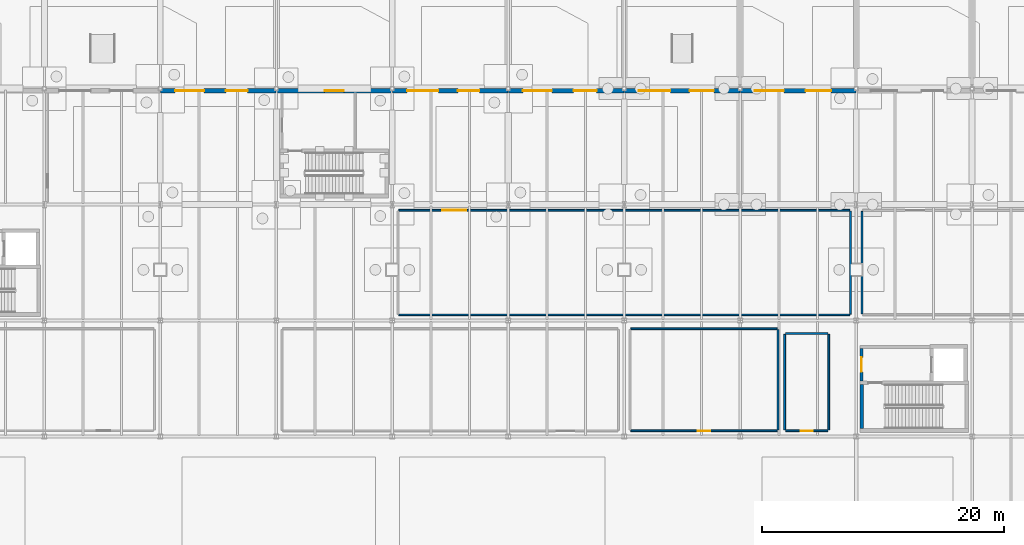
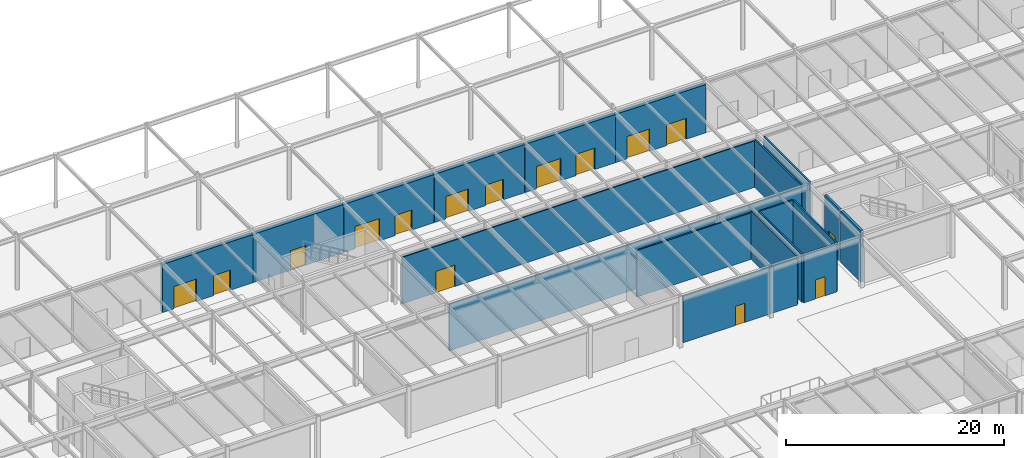
# One storey, part 122 of 142: 19 walls, 15 doors, 15 openings.
"""IFC4 building model written with IfcOpenShell, lengths in metres."""

from ifc_helpers import new_model, si_unit, direction, frame, frame_2d, origin, place, context, subcontext, project, spatial, rectangle, extrude, material, layer, layer_set, type_object, element, fill, save


model = new_model("IFC4")

# Units and contexts
model_context = context("Model", 3, precision=1e-05, world=origin(), true_north=direction((0.0, 1.0)))
body_context = subcontext(model_context, "Body", "Model", "MODEL_VIEW")
ifc_project = project(units=[si_unit("LENGTHUNIT", "METRE"), si_unit("AREAUNIT", "SQUARE_METRE"), si_unit("VOLUMEUNIT", "CUBIC_METRE"), si_unit("PLANEANGLEUNIT", "RADIAN"), si_unit("MASSUNIT", "GRAM", prefix="KILO")], contexts=[model_context])

# Site, building, storey
site_placement = place(None, origin())
site = spatial("IfcSite", under=ifc_project, at=site_placement, CompositionType="ELEMENT")
building_placement = place(site_placement, origin())
building = spatial("IfcBuilding", under=site, at=building_placement, Name="Coralgate Yard Interchange", CompositionType="ELEMENT")
storey_placement = place(building_placement, origin())
storey = spatial("IfcBuildingStorey", under=building, at=storey_placement, Name="L00", CompositionType="ELEMENT", Elevation=0.0)

# Wall
ifc_material_1 = material(Name="Concrete C40/50", Category="concrete")
ifc_layer_1 = layer(ifc_material_1, 0.300048828125)
ifc_layer_set_1 = layer_set([ifc_layer_1], Name="Concrete C40/50")
wall_type_1 = type_object("IfcWallType", Name="WAL-CW300", PredefinedType="SHEAR", material=ifc_layer_set_1)
wall_1_placement = place(storey_placement, frame((125.25, 67.85009765625, 0.0), z_axis=(0.0, 0.0, 1.0), x_axis=(0.0, 1.0, 0.0)))
element("IfcWall", 1, at=wall_1_placement, inside=storey, type_object=wall_type_1, Name="C7 L00 stair west shear wall", PredefinedType="SHEAR", context=body_context, shape_type="SweptSolid", body=[
    extrude(rectangle(XDim=3.64990234375, YDim=0.300048828125, at=frame_2d((1.824951171875, 0.0))), origin(), (0.0, 0.0, 1.0), 5.75),
])

# Wall, openings, doors
ifc_material_2 = material(Name="Precast concrete C40/50", Category="concrete")
ifc_layer_2 = layer(ifc_material_2, 0.35009765625)
ifc_layer_set_2 = layer_set([ifc_layer_2], Name="Precast concrete C40/50")
wall_type_2 = type_object("IfcWallType", Name="WAL-EW-350", PredefinedType="SOLIDWALL", material=ifc_layer_set_2)
wall_2_placement = place(storey_placement, frame((67.219970703125, 95.824951171875, 0.0), z_axis=(0.0, 0.0, 1.0), x_axis=(1.0, 0.0, 0.0)))
wall_2 = element("IfcWall", 2, at=wall_2_placement, inside=storey, type_object=wall_type_2, Name="L00 exterior coastal wall N 7-9", PredefinedType="SOLIDWALL", context=body_context, shape_type="SweptSolid", body=[
    extrude(rectangle(XDim=9.56005859375, YDim=0.35009765625, at=frame_2d((4.780029296875, 0.0))), origin(), (0.0, 0.0, 1.0), 5.39990234375),
])
opening_1_placement = place(wall_2_placement, frame((1.199951171875, 0.0, 0.0)))
opening_1 = element("IfcOpeningElement", 3, at=opening_1_placement, cuts=wall_2, Name="Opening ED-2", PredefinedType="OPENING", context=body_context, shape_type="SweptSolid", body=[
    extrude(rectangle(XDim=2.39990234375, YDim=2.5, at=frame_2d((1.199951171875, 1.25))), frame((0.0, 0.18505859375, 0.0), z_axis=(0.0, -1.0, 0.0), x_axis=(1.0, 0.0, 0.0)), (0.0, 0.0, 1.0), 0.3701171875),
])
opening_2_placement = place(wall_2_placement, frame((5.39990234375, 0.0, 0.0)))
opening_2 = element("IfcOpeningElement", 4, at=opening_2_placement, cuts=wall_2, Name="Opening ED-3", PredefinedType="OPENING", context=body_context, shape_type="SweptSolid", body=[
    extrude(rectangle(XDim=1.800048828125, YDim=2.25, at=frame_2d((0.89990234375, 1.125))), frame((0.0, 0.18505859375, 0.0), z_axis=(0.0, -1.0, 0.0), x_axis=(1.0, 0.0, 0.0)), (0.0, 0.0, 1.0), 0.3701171875),
])
ifc_material_3 = material(Name="Anodised aluminium concourse entrance double door", Category="aluminium")
door_type_1 = type_object("IfcDoorType", Name="DOR-ED-2", OperationType="NOTDEFINED", PredefinedType="DOOR", material=ifc_material_3)
door_1_placement = place(opening_1_placement, origin())
door_1 = element("IfcDoor", 5, at=door_1_placement, inside=storey, type_object=door_type_1, Name="L00 final exit double door ED-12", OperationType="DOUBLE_DOOR_SINGLE_SWING", OverallHeight=2.5, OverallWidth=2.39990234375, PredefinedType="DOOR", context=body_context, shape_type="SweptSolid", body=[
    extrude(rectangle(XDim=2.39990234375, YDim=2.5, at=frame_2d((1.199951171875, 1.25))), frame((0.0, 0.02490234375, 0.0), z_axis=(0.0, -1.0, 0.0), x_axis=(1.0, 0.0, 0.0)), (0.0, 0.0, 1.0), 0.050048828125),
])
fill(opening_1, door_1)
ifc_material_4 = material(Name="Anodised aluminium passenger waiting exit double door", Category="aluminium")
door_type_2 = type_object("IfcDoorType", Name="DOR-ED-3", OperationType="NOTDEFINED", PredefinedType="DOOR", material=ifc_material_4)
door_2_placement = place(opening_2_placement, origin())
door_2 = element("IfcDoor", 6, at=door_2_placement, inside=storey, type_object=door_type_2, Name="L00 final exit double door ED-13", OperationType="DOUBLE_DOOR_SINGLE_SWING", OverallHeight=2.25, OverallWidth=1.800048828125, PredefinedType="DOOR", context=body_context, shape_type="SweptSolid", body=[
    extrude(rectangle(XDim=1.800048828125, YDim=2.25, at=frame_2d((0.89990234375, 1.125))), frame((0.0, 0.02490234375, 0.0), z_axis=(0.0, -1.0, 0.0), x_axis=(1.0, 0.0, 0.0)), (0.0, 0.0, 1.0), 0.050048828125),
])
fill(opening_2, door_2)

# Wall, opening, door
wall_3_placement = place(storey_placement, frame((76.820068359375, 95.824951171875, 0.0), z_axis=(0.0, 0.0, 1.0), x_axis=(1.0, 0.0, 0.0)))
wall_3 = element("IfcWall", 7, at=wall_3_placement, inside=storey, type_object=wall_type_2, Name="L00 exterior coastal wall N 8-9", PredefinedType="SOLIDWALL", context=body_context, shape_type="SweptSolid", body=[
    extrude(rectangle(XDim=9.559814453125, YDim=0.35009765625, at=frame_2d((4.77978515625, 0.0))), origin(), (0.0, 0.0, 1.0), 5.39990234375),
])
opening_3_placement = place(wall_3_placement, frame((3.97998046875, 0.0, 0.0)))
opening_3 = element("IfcOpeningElement", 8, at=opening_3_placement, cuts=wall_3, Name="Opening ED-4", PredefinedType="OPENING", context=body_context, shape_type="SweptSolid", body=[
    extrude(rectangle(XDim=1.60009765625, YDim=2.199951171875, at=frame_2d((0.800048828125, 1.10009765625))), frame((0.0, 0.18505859375, 0.0), z_axis=(0.0, -1.0, 0.0), x_axis=(1.0, 0.0, 0.0)), (0.0, 0.0, 1.0), 0.3701171875),
])
ifc_material_5 = material(Name="Powder-coated steel emergency exit double door", Category="steel")
door_type_3 = type_object("IfcDoorType", Name="DOR-ED-4", OperationType="NOTDEFINED", PredefinedType="DOOR", material=ifc_material_5)
door_3_placement = place(opening_3_placement, origin())
door_3 = element("IfcDoor", 9, at=door_3_placement, inside=storey, type_object=door_type_3, Name="Core emergency exit door ED-C14", OperationType="DOUBLE_DOOR_SINGLE_SWING", OverallHeight=2.199951171875, OverallWidth=1.60009765625, PredefinedType="DOOR", context=body_context, shape_type="SweptSolid", body=[
    extrude(rectangle(XDim=1.60009765625, YDim=2.199951171875, at=frame_2d((0.800048828125, 1.10009765625))), frame((0.0, 0.02490234375, 0.0), z_axis=(0.0, -1.0, 0.0), x_axis=(1.0, 0.0, 0.0)), (0.0, 0.0, 1.0), 0.050048828125),
])
fill(opening_3, door_3)

# Wall, openings, doors
wall_4_placement = place(storey_placement, frame((86.419921875, 95.824951171875, 0.0), z_axis=(0.0, 0.0, 1.0), x_axis=(1.0, 0.0, 0.0)))
wall_4 = element("IfcWall", 10, at=wall_4_placement, inside=storey, type_object=wall_type_2, Name="L00 exterior coastal wall N 9-9", PredefinedType="SOLIDWALL", context=body_context, shape_type="SweptSolid", body=[
    extrude(rectangle(XDim=9.56005859375, YDim=0.35009765625, at=frame_2d((4.780029296875, 0.0))), origin(), (0.0, 0.0, 1.0), 5.39990234375),
])
opening_4_placement = place(wall_4_placement, frame((1.199951171875, 0.0, 0.0)))
opening_4 = element("IfcOpeningElement", 11, at=opening_4_placement, cuts=wall_4, Name="Opening ED-6", PredefinedType="OPENING", context=body_context, shape_type="SweptSolid", body=[
    extrude(rectangle(XDim=2.60009765625, YDim=2.5, at=frame_2d((1.300048828125, 1.25))), frame((0.0, 0.18505859375, 0.0), z_axis=(0.0, -1.0, 0.0), x_axis=(1.0, 0.0, 0.0)), (0.0, 0.0, 1.0), 0.3701171875),
])
opening_5_placement = place(wall_4_placement, frame((5.39990234375, 0.0, 0.0)))
opening_5 = element("IfcOpeningElement", 12, at=opening_5_placement, cuts=wall_4, Name="Opening ED-3", PredefinedType="OPENING", context=body_context, shape_type="SweptSolid", body=[
    extrude(rectangle(XDim=1.800048828125, YDim=2.25, at=frame_2d((0.89990234375, 1.125))), frame((0.0, 0.18505859375, 0.0), z_axis=(0.0, -1.0, 0.0), x_axis=(1.0, 0.0, 0.0)), (0.0, 0.0, 1.0), 0.3701171875),
])
door_4_placement = place(opening_5_placement, origin())
door_4 = element("IfcDoor", 13, at=door_4_placement, inside=storey, type_object=door_type_2, Name="L00 final exit double door ED-17", OperationType="DOUBLE_DOOR_SINGLE_SWING", OverallHeight=2.25, OverallWidth=1.800048828125, PredefinedType="DOOR", context=body_context, shape_type="SweptSolid", body=[
    extrude(rectangle(XDim=1.800048828125, YDim=2.25, at=frame_2d((0.89990234375, 1.125))), frame((0.0, 0.02490234375, 0.0), z_axis=(0.0, -1.0, 0.0), x_axis=(1.0, 0.0, 0.0)), (0.0, 0.0, 1.0), 0.050048828125),
])
fill(opening_5, door_4)
ifc_material_6 = material(Name="Anodised aluminium main concourse double door", Category="aluminium")
door_type_4 = type_object("IfcDoorType", Name="DOR-ED-6", OperationType="NOTDEFINED", PredefinedType="DOOR", material=ifc_material_6)
door_5_placement = place(opening_4_placement, origin())
door_5 = element("IfcDoor", 14, at=door_5_placement, inside=storey, type_object=door_type_4, Name="L00 final exit double door ED-16", OperationType="DOUBLE_DOOR_SINGLE_SWING", OverallHeight=2.5, OverallWidth=2.60009765625, PredefinedType="DOOR", context=body_context, shape_type="SweptSolid", body=[
    extrude(rectangle(XDim=2.60009765625, YDim=2.5, at=frame_2d((1.300048828125, 1.25))), frame((0.0, 0.02490234375, 0.0), z_axis=(0.0, -1.0, 0.0), x_axis=(1.0, 0.0, 0.0)), (0.0, 0.0, 1.0), 0.050048828125),
])
fill(opening_4, door_5)

wall_5_placement = place(storey_placement, frame((96.02001953125, 95.824951171875, 0.0), z_axis=(0.0, 0.0, 1.0), x_axis=(1.0, 0.0, 0.0)))
wall_5 = element("IfcWall", 15, at=wall_5_placement, inside=storey, type_object=wall_type_2, Name="L00 exterior coastal wall N 10-9", PredefinedType="SOLIDWALL", context=body_context, shape_type="SweptSolid", body=[
    extrude(rectangle(XDim=9.56005859375, YDim=0.35009765625, at=frame_2d((4.780029296875, 0.0))), origin(), (0.0, 0.0, 1.0), 5.39990234375),
])
opening_6_placement = place(wall_5_placement, frame((1.199951171875, 0.0, 0.0)))
opening_6 = element("IfcOpeningElement", 16, at=opening_6_placement, cuts=wall_5, Name="Opening ED-2", PredefinedType="OPENING", context=body_context, shape_type="SweptSolid", body=[
    extrude(rectangle(XDim=2.39990234375, YDim=2.5, at=frame_2d((1.199951171875, 1.25))), frame((0.0, 0.18505859375, 0.0), z_axis=(0.0, -1.0, 0.0), x_axis=(1.0, 0.0, 0.0)), (0.0, 0.0, 1.0), 0.3701171875),
])
opening_7_placement = place(wall_5_placement, frame((5.39990234375, 0.0, 0.0)))
opening_7 = element("IfcOpeningElement", 17, at=opening_7_placement, cuts=wall_5, Name="Opening ED-7", PredefinedType="OPENING", context=body_context, shape_type="SweptSolid", body=[
    extrude(rectangle(XDim=1.89990234375, YDim=2.300048828125, at=frame_2d((0.949951171875, 1.14990234375))), frame((0.0, 0.18505859375, 0.0), z_axis=(0.0, -1.0, 0.0), x_axis=(1.0, 0.0, 0.0)), (0.0, 0.0, 1.0), 0.3701171875),
])
door_6_placement = place(opening_6_placement, origin())
door_6 = element("IfcDoor", 18, at=door_6_placement, inside=storey, type_object=door_type_1, Name="L00 final exit double door ED-20", OperationType="DOUBLE_DOOR_SINGLE_SWING", OverallHeight=2.5, OverallWidth=2.39990234375, PredefinedType="DOOR", context=body_context, shape_type="SweptSolid", body=[
    extrude(rectangle(XDim=2.39990234375, YDim=2.5, at=frame_2d((1.199951171875, 1.25))), frame((0.0, 0.02490234375, 0.0), z_axis=(0.0, -1.0, 0.0), x_axis=(1.0, 0.0, 0.0)), (0.0, 0.0, 1.0), 0.050048828125),
])
fill(opening_6, door_6)
ifc_material_7 = material(Name="Anodised aluminium bus-apron boarding double door", Category="aluminium")
door_type_5 = type_object("IfcDoorType", Name="DOR-ED-7", OperationType="NOTDEFINED", PredefinedType="DOOR", material=ifc_material_7)
door_7_placement = place(opening_7_placement, origin())
door_7 = element("IfcDoor", 19, at=door_7_placement, inside=storey, type_object=door_type_5, Name="L00 final exit double door ED-21", OperationType="DOUBLE_DOOR_SINGLE_SWING", OverallHeight=2.300048828125, OverallWidth=1.89990234375, PredefinedType="DOOR", context=body_context, shape_type="SweptSolid", body=[
    extrude(rectangle(XDim=1.89990234375, YDim=2.300048828125, at=frame_2d((0.949951171875, 1.14990234375))), frame((0.0, 0.02490234375, 0.0), z_axis=(0.0, -1.0, 0.0), x_axis=(1.0, 0.0, 0.0)), (0.0, 0.0, 1.0), 0.050048828125),
])
fill(opening_7, door_7)

wall_6_placement = place(storey_placement, frame((105.6201171875, 95.824951171875, 0.0), z_axis=(0.0, 0.0, 1.0), x_axis=(1.0, 0.0, 0.0)))
wall_6 = element("IfcWall", 20, at=wall_6_placement, inside=storey, type_object=wall_type_2, Name="L00 exterior coastal wall N 11-9", PredefinedType="SOLIDWALL", context=body_context, shape_type="SweptSolid", body=[
    extrude(rectangle(XDim=9.559814453125, YDim=0.35009765625, at=frame_2d((4.77978515625, 0.0))), origin(), (0.0, 0.0, 1.0), 5.39990234375),
])
opening_8_placement = place(wall_6_placement, frame((1.199951171875, 0.0, 0.0)))
opening_8 = element("IfcOpeningElement", 21, at=opening_8_placement, cuts=wall_6, Name="Opening ED-6", PredefinedType="OPENING", context=body_context, shape_type="SweptSolid", body=[
    extrude(rectangle(XDim=2.60009765625, YDim=2.5, at=frame_2d((1.300048828125, 1.25))), frame((0.0, 0.18505859375, 0.0), z_axis=(0.0, -1.0, 0.0), x_axis=(1.0, 0.0, 0.0)), (0.0, 0.0, 1.0), 0.3701171875),
])
opening_9_placement = place(wall_6_placement, frame((5.39990234375, 0.0, 0.0)))
opening_9 = element("IfcOpeningElement", 22, at=opening_9_placement, cuts=wall_6, Name="Opening ED-1", PredefinedType="OPENING", context=body_context, shape_type="SweptSolid", body=[
    extrude(rectangle(XDim=2.0, YDim=2.39990234375, at=frame_2d((1.0, 1.199951171875))), frame((0.0, 0.18505859375, 0.0), z_axis=(0.0, -1.0, 0.0), x_axis=(1.0, 0.0, 0.0)), (0.0, 0.0, 1.0), 0.3701171875),
])
ifc_material_8 = material(Name="Anodised aluminium and toughened glass double exit door", Category="aluminium")
door_type_6 = type_object("IfcDoorType", Name="DOR-ED-1", OperationType="NOTDEFINED", PredefinedType="DOOR", material=ifc_material_8)
door_8_placement = place(opening_9_placement, origin())
door_8 = element("IfcDoor", 23, at=door_8_placement, inside=storey, type_object=door_type_6, Name="L00 final exit double door ED-23", OperationType="DOUBLE_DOOR_SINGLE_SWING", OverallHeight=2.39990234375, OverallWidth=2.0, PredefinedType="DOOR", context=body_context, shape_type="SweptSolid", body=[
    extrude(rectangle(XDim=2.0, YDim=2.39990234375, at=frame_2d((1.0, 1.199951171875))), frame((0.0, 0.02490234375, 0.0), z_axis=(0.0, -1.0, 0.0), x_axis=(1.0, 0.0, 0.0)), (0.0, 0.0, 1.0), 0.050048828125),
])
fill(opening_9, door_8)
door_9_placement = place(opening_8_placement, origin())
door_9 = element("IfcDoor", 24, at=door_9_placement, inside=storey, type_object=door_type_4, Name="L00 final exit double door ED-22", OperationType="DOUBLE_DOOR_SINGLE_SWING", OverallHeight=2.5, OverallWidth=2.60009765625, PredefinedType="DOOR", context=body_context, shape_type="SweptSolid", body=[
    extrude(rectangle(XDim=2.60009765625, YDim=2.5, at=frame_2d((1.300048828125, 1.25))), frame((0.0, 0.02490234375, 0.0), z_axis=(0.0, -1.0, 0.0), x_axis=(1.0, 0.0, 0.0)), (0.0, 0.0, 1.0), 0.050048828125),
])
fill(opening_8, door_9)

wall_7_placement = place(storey_placement, frame((115.219970703125, 95.824951171875, 0.0), z_axis=(0.0, 0.0, 1.0), x_axis=(1.0, 0.0, 0.0)))
wall_7 = element("IfcWall", 25, at=wall_7_placement, inside=storey, type_object=wall_type_2, Name="L00 exterior coastal wall N 12-9", PredefinedType="SOLIDWALL", context=body_context, shape_type="SweptSolid", body=[
    extrude(rectangle(XDim=9.56005859375, YDim=0.35009765625, at=frame_2d((4.780029296875, 0.0))), origin(), (0.0, 0.0, 1.0), 5.39990234375),
])
opening_10_placement = place(wall_7_placement, frame((1.199951171875, 0.0, 0.0)))
opening_10 = element("IfcOpeningElement", 26, at=opening_10_placement, cuts=wall_7, Name="Opening ED-2", PredefinedType="OPENING", context=body_context, shape_type="SweptSolid", body=[
    extrude(rectangle(XDim=2.39990234375, YDim=2.5, at=frame_2d((1.199951171875, 1.25))), frame((0.0, 0.18505859375, 0.0), z_axis=(0.0, -1.0, 0.0), x_axis=(1.0, 0.0, 0.0)), (0.0, 0.0, 1.0), 0.3701171875),
])
opening_11_placement = place(wall_7_placement, frame((5.39990234375, 0.0, 0.0)))
opening_11 = element("IfcOpeningElement", 27, at=opening_11_placement, cuts=wall_7, Name="Opening ED-8", PredefinedType="OPENING", context=body_context, shape_type="SweptSolid", body=[
    extrude(rectangle(XDim=2.10009765625, YDim=2.35009765625, at=frame_2d((1.050048828125, 1.175048828125))), frame((0.0, 0.18505859375, 0.0), z_axis=(0.0, -1.0, 0.0), x_axis=(1.0, 0.0, 0.0)), (0.0, 0.0, 1.0), 0.3701171875),
])
door_10_placement = place(opening_10_placement, origin())
door_10 = element("IfcDoor", 28, at=door_10_placement, inside=storey, type_object=door_type_1, Name="L00 final exit double door ED-24", OperationType="DOUBLE_DOOR_SINGLE_SWING", OverallHeight=2.5, OverallWidth=2.39990234375, PredefinedType="DOOR", context=body_context, shape_type="SweptSolid", body=[
    extrude(rectangle(XDim=2.39990234375, YDim=2.5, at=frame_2d((1.199951171875, 1.25))), frame((0.0, 0.02490234375, 0.0), z_axis=(0.0, -1.0, 0.0), x_axis=(1.0, 0.0, 0.0)), (0.0, 0.0, 1.0), 0.050048828125),
])
fill(opening_10, door_10)
ifc_material_9 = material(Name="Anodised aluminium intermodal foyer double door", Category="aluminium")
door_type_7 = type_object("IfcDoorType", Name="DOR-ED-8", OperationType="NOTDEFINED", PredefinedType="DOOR", material=ifc_material_9)
door_11_placement = place(opening_11_placement, origin())
door_11 = element("IfcDoor", 29, at=door_11_placement, inside=storey, type_object=door_type_7, Name="L00 final exit double door ED-25", OperationType="DOUBLE_DOOR_SINGLE_SWING", OverallHeight=2.35009765625, OverallWidth=2.10009765625, PredefinedType="DOOR", context=body_context, shape_type="SweptSolid", body=[
    extrude(rectangle(XDim=2.10009765625, YDim=2.35009765625, at=frame_2d((1.050048828125, 1.175048828125))), frame((0.0, 0.02490234375, 0.0), z_axis=(0.0, -1.0, 0.0), x_axis=(1.0, 0.0, 0.0)), (0.0, 0.0, 1.0), 0.050048828125),
])
fill(opening_11, door_11)

# Wall
ifc_material_10 = material(Name="Acoustic twin-stud office partition")
ifc_layer_3 = layer(ifc_material_10, 0.139892578125)
ifc_layer_set_3 = layer_set([ifc_layer_3], Name="Acoustic twin-stud office partition")
wall_type_3 = type_object("IfcWallType", Name="WAL-PW-140", PredefinedType="PARTITIONING", material=ifc_layer_set_3)
wall_8_placement = place(storey_placement, frame((124.260009765625, 77.27001953125, 0.0), z_axis=(0.0, 0.0, 1.0), x_axis=(-1.0, 0.0, 0.0)))
element("IfcWall", 30, at=wall_8_placement, inside=storey, type_object=wall_type_3, Name="Station Coastal Cafe and Bakery partition S", PredefinedType="PARTITIONING", context=body_context, shape_type="SweptSolid", body=[
    extrude(rectangle(XDim=37.320068359375, YDim=0.139892578125, at=frame_2d((18.66015625, 0.0))), origin(), (0.0, 0.0, 1.0), 5.206787109375),
])

# Wall, opening, door
wall_9_placement = place(storey_placement, frame((86.93994140625, 85.929931640625, 0.0), z_axis=(0.0, 0.0, 1.0), x_axis=(1.0, 0.0, 0.0)))
wall_9 = element("IfcWall", 31, at=wall_9_placement, inside=storey, type_object=wall_type_3, Name="Station Coastal Cafe and Bakery partition N", PredefinedType="PARTITIONING", context=body_context, shape_type="SweptSolid", body=[
    extrude(rectangle(XDim=37.320068359375, YDim=0.139892578125, at=frame_2d((18.66015625, 0.0))), origin(), (0.0, 0.0, 1.0), 5.206787109375),
])
opening_12_placement = place(wall_9_placement, frame((3.60009765625, 0.0, 0.0)))
opening_12 = element("IfcOpeningElement", 32, at=opening_12_placement, cuts=wall_9, Name="Opening ID-09", PredefinedType="OPENING", context=body_context, shape_type="SweptSolid", body=[
    extrude(rectangle(XDim=2.0, YDim=2.39990234375, at=frame_2d((1.0, 1.199951171875))), frame((0.0, 0.079833984375, 0.0), z_axis=(0.0, -1.0, 0.0), x_axis=(1.0, 0.0, 0.0)), (0.0, 0.0, 1.0), 0.159912109375),
])
ifc_material_11 = material(Name="Glazed aluminium concourse lounge double door", Category="aluminium")
door_type_8 = type_object("IfcDoorType", Name="DOR-ID-09", OperationType="NOTDEFINED", PredefinedType="DOOR", material=ifc_material_11)
door_12_placement = place(opening_12_placement, origin())
door_12 = element("IfcDoor", 33, at=door_12_placement, inside=storey, type_object=door_type_8, Name="Station Coastal Cafe and Bakery door", OperationType="DOUBLE_DOOR_SINGLE_SWING", OverallHeight=2.39990234375, OverallWidth=2.0, PredefinedType="DOOR", context=body_context, shape_type="SweptSolid", body=[
    extrude(rectangle(XDim=2.0, YDim=2.39990234375, at=frame_2d((1.0, 1.199951171875))), frame((0.0, 0.02490234375, 0.0), z_axis=(0.0, -1.0, 0.0), x_axis=(1.0, 0.0, 0.0)), (0.0, 0.0, 1.0), 0.050048828125),
])
fill(opening_12, door_12)

# Wall
wall_10_placement = place(storey_placement, frame((124.330078125, 85.860107421875, 0.0), z_axis=(0.0, 0.0, 1.0), x_axis=(0.0, -1.0, 0.0)))
element("IfcWall", 34, at=wall_10_placement, inside=storey, type_object=wall_type_3, Name="Station Coastal Cafe and Bakery partition E", PredefinedType="PARTITIONING", context=body_context, shape_type="SweptSolid", body=[
    extrude(rectangle(XDim=8.52001953125, YDim=0.139892578125, at=frame_2d((4.260009765625, 0.0))), origin(), (0.0, 0.0, 1.0), 5.389892578125),
])

# Wall, opening, door
ifc_material_12 = material(Name="Moisture-resistant masonry washroom wall", Category="masonry")
ifc_layer_4 = layer(ifc_material_12, 0.14990234375)
ifc_layer_set_4 = layer_set([ifc_layer_4], Name="Moisture-resistant masonry washroom wall")
wall_type_4 = type_object("IfcWallType", Name="WAL-PW-150", PredefinedType="PLUMBINGWALL", material=ifc_layer_set_4)
wall_11_placement = place(storey_placement, frame((118.25, 67.675048828125, 0.0), z_axis=(0.0, 0.0, 1.0), x_axis=(-1.0, 0.0, 0.0)))
wall_11 = element("IfcWall", 35, at=wall_11_placement, inside=storey, type_object=wall_type_4, Name="Concourse Public Washrooms partition S", PredefinedType="PLUMBINGWALL", context=body_context, shape_type="SweptSolid", body=[
    extrude(rectangle(XDim=12.10009765625, YDim=0.14990234375, at=frame_2d((6.050048828125, 0.0))), origin(), (0.0, 0.0, 1.0), 5.206787109375),
])
opening_13_placement = place(wall_11_placement, frame((5.550048828125, 0.0, 0.0)))
opening_13 = element("IfcOpeningElement", 36, at=opening_13_placement, cuts=wall_11, Name="Opening ID-02", PredefinedType="OPENING", context=body_context, shape_type="SweptSolid", body=[
    extrude(rectangle(XDim=1.0, YDim=2.14990234375, at=frame_2d((0.5, 1.074951171875))), frame((0.0, 0.0849609375, 0.0), z_axis=(0.0, -1.0, 0.0), x_axis=(1.0, 0.0, 0.0)), (0.0, 0.0, 1.0), 0.169921875),
])
ifc_material_13 = material(Name="Accessible wide-leaf washroom and office door")
door_type_9 = type_object("IfcDoorType", Name="DOR-ID-02", OperationType="NOTDEFINED", PredefinedType="DOOR", material=ifc_material_13)
door_13_placement = place(opening_13_placement, frame((1.0, 0.0, 0.0), z_axis=(0.0, 0.0, 1.0), x_axis=(-1.0, 0.0, 0.0)))
door_13 = element("IfcDoor", 37, at=door_13_placement, inside=storey, type_object=door_type_9, Name="Concourse Public Washrooms door", OperationType="SINGLE_SWING_LEFT", OverallHeight=2.14990234375, OverallWidth=1.0, PredefinedType="DOOR", context=body_context, shape_type="SweptSolid", body=[
    extrude(rectangle(XDim=1.0, YDim=2.14990234375, at=frame_2d((0.5, 1.074951171875))), frame((0.0, 0.02490234375, 0.0), z_axis=(0.0, -1.0, 0.0), x_axis=(1.0, 0.0, 0.0)), (0.0, 0.0, 1.0), 0.050048828125),
])
fill(opening_13, door_13)

# Walls
wall_12_placement = place(storey_placement, frame((106.14990234375, 76.125, 0.0), z_axis=(0.0, 0.0, 1.0), x_axis=(1.0, 0.0, 0.0)))
element("IfcWall", 38, at=wall_12_placement, inside=storey, type_object=wall_type_4, Name="Concourse Public Washrooms partition N", PredefinedType="PLUMBINGWALL", context=body_context, shape_type="SweptSolid", body=[
    extrude(rectangle(XDim=12.10009765625, YDim=0.14990234375, at=frame_2d((6.050048828125, 0.0))), origin(), (0.0, 0.0, 1.0), 5.206787109375),
])
wall_13_placement = place(storey_placement, frame((118.324951171875, 76.050048828125, 0.0), z_axis=(0.0, 0.0, 1.0), x_axis=(0.0, -1.0, 0.0)))
element("IfcWall", 39, at=wall_13_placement, inside=storey, type_object=wall_type_4, Name="Concourse Public Washrooms partition E", PredefinedType="PLUMBINGWALL", context=body_context, shape_type="SweptSolid", body=[
    extrude(rectangle(XDim=8.300048828125, YDim=0.14990234375, at=frame_2d((4.14990234375, 0.0))), origin(), (0.0, 0.0, 1.0), 5.389892578125),
])

# Wall, opening, door
wall_14_placement = place(storey_placement, frame((122.449951171875, 67.675048828125, 0.0), z_axis=(0.0, 0.0, 1.0), x_axis=(-1.0, 0.0, 0.0)))
wall_14 = element("IfcWall", 40, at=wall_14_placement, inside=storey, type_object=wall_type_4, Name="Concourse Accessible WC partition S", PredefinedType="PLUMBINGWALL", context=body_context, shape_type="SweptSolid", body=[
    extrude(rectangle(XDim=3.5, YDim=0.14990234375, at=frame_2d((1.75, 0.0))), origin(), (0.0, 0.0, 1.0), 5.389892578125),
])
opening_14_placement = place(wall_14_placement, frame((1.25, 0.0, 0.0)))
opening_14 = element("IfcOpeningElement", 41, at=opening_14_placement, cuts=wall_14, Name="Opening ID-02", PredefinedType="OPENING", context=body_context, shape_type="SweptSolid", body=[
    extrude(rectangle(XDim=1.0, YDim=2.14990234375, at=frame_2d((0.5, 1.074951171875))), frame((0.0, 0.0849609375, 0.0), z_axis=(0.0, -1.0, 0.0), x_axis=(1.0, 0.0, 0.0)), (0.0, 0.0, 1.0), 0.169921875),
])
door_14_placement = place(opening_14_placement, frame((1.0, 0.0, 0.0), z_axis=(0.0, 0.0, 1.0), x_axis=(-1.0, 0.0, 0.0)))
door_14 = element("IfcDoor", 42, at=door_14_placement, inside=storey, type_object=door_type_9, Name="Concourse Accessible WC door", OperationType="SINGLE_SWING_RIGHT", OverallHeight=2.14990234375, OverallWidth=1.0, PredefinedType="DOOR", context=body_context, shape_type="SweptSolid", body=[
    extrude(rectangle(XDim=1.0, YDim=2.14990234375, at=frame_2d((0.5, 1.074951171875))), frame((0.0, 0.02490234375, 0.0), z_axis=(0.0, -1.0, 0.0), x_axis=(1.0, 0.0, 0.0)), (0.0, 0.0, 1.0), 0.050048828125),
])
fill(opening_14, door_14)

# Walls
wall_15_placement = place(storey_placement, frame((118.949951171875, 75.72509765625, 0.0), z_axis=(0.0, 0.0, 1.0), x_axis=(1.0, 0.0, 0.0)))
element("IfcWall", 43, at=wall_15_placement, inside=storey, type_object=wall_type_4, Name="Concourse Accessible WC partition N", PredefinedType="PLUMBINGWALL", context=body_context, shape_type="SweptSolid", body=[
    extrude(rectangle(XDim=3.5, YDim=0.14990234375, at=frame_2d((1.75, 0.0))), origin(), (0.0, 0.0, 1.0), 5.389892578125),
])
for number, where, z_axis, x_axis, name in (
    (44, (118.875, 67.75, 0.0), (0.0, 0.0, 1.0), (0.0, 1.0, 0.0), "Concourse Accessible WC partition W"),
    (45, (122.52490234375, 75.64990234375, 0.0), (0.0, 0.0, 1.0), (0.0, -1.0, 0.0), "Concourse Accessible WC partition E"),
):
    element("IfcWall", number, at=place(storey_placement, frame(where, z_axis=z_axis, x_axis=x_axis)), inside=storey, type_object=wall_type_4, Name=name, PredefinedType="PLUMBINGWALL", context=body_context, shape_type="SweptSolid", body=[
        extrude(rectangle(XDim=7.89990234375, YDim=0.14990234375, at=frame_2d((3.949951171875, 0.0))), origin(), (0.0, 0.0, 1.0), 5.389892578125),
    ])
ifc_material_14 = material(Name="Fire-rated twin-stud gypsum partition")
ifc_layer_5 = layer(ifc_material_14, 0.159912109375)
ifc_layer_set_5 = layer_set([ifc_layer_5], Name="Fire-rated twin-stud gypsum partition")
wall_type_5 = type_object("IfcWallType", Name="WAL-PW-160", PredefinedType="PARTITIONING", material=ifc_layer_set_5)
wall_16_placement = place(storey_placement, frame((125.280029296875, 77.360107421875, 0.0), z_axis=(0.0, 0.0, 1.0), x_axis=(0.0, 1.0, 0.0)))
element("IfcWall", 46, at=wall_16_placement, inside=storey, type_object=wall_type_5, Name="Left Luggage and Parcel Counter partition W", PredefinedType="PARTITIONING", context=body_context, shape_type="SweptSolid", body=[
    extrude(rectangle(XDim=8.47998046875, YDim=0.159912109375, at=frame_2d((4.239990234375, 0.0))), origin(), (0.0, 0.0, 1.0), 5.389892578125),
])

# Wall, opening, door
ifc_layer_6 = layer(ifc_material_1, 0.25)
ifc_layer_set_6 = layer_set([ifc_layer_6], Name="Concrete C40/50")
wall_type_6 = type_object("IfcWallType", Name="WAL-SW250", PredefinedType="SHEAR", material=ifc_layer_set_6)
wall_17_placement = place(storey_placement, frame((125.25, 71.800048828125, 0.0), z_axis=(0.0, 0.0, 1.0), x_axis=(0.0, 1.0, 0.0)))
wall_17 = element("IfcWall", 47, at=wall_17_placement, inside=storey, type_object=wall_type_6, Name="C7 L00 lobby west fire wall", PredefinedType="SHEAR", context=body_context, shape_type="SweptSolid", body=[
    extrude(rectangle(XDim=2.699951171875, YDim=0.25, at=frame_2d((1.35009765625, 0.0))), origin(), (0.0, 0.0, 1.0), 5.75),
])
opening_15_placement = place(wall_17_placement, frame((0.75, 0.0, 0.0)))
opening_15 = element("IfcOpeningElement", 48, at=opening_15_placement, cuts=wall_17, Name="Opening FD-2", PredefinedType="OPENING", context=body_context, shape_type="SweptSolid", body=[
    extrude(rectangle(XDim=1.199951171875, YDim=2.14990234375, at=frame_2d((0.60009765625, 1.074951171875))), frame((0.0, 0.135009765625, 0.0), z_axis=(0.0, -1.0, 0.0), x_axis=(1.0, 0.0, 0.0)), (0.0, 0.0, 1.0), 0.27001953125),
])
ifc_material_15 = material(Name="Powder-coated steel fire door assembly", Category="steel")
door_type_10 = type_object("IfcDoorType", Name="DOR-FD-2", OperationType="NOTDEFINED", PredefinedType="DOOR", material=ifc_material_15)
door_15_placement = place(opening_15_placement, frame((1.199951171875, 0.0, 0.0), z_axis=(0.0, 0.0, 1.0), x_axis=(-1.0, 0.0, 0.0)))
door_15 = element("IfcDoor", 49, at=door_15_placement, inside=storey, type_object=door_type_10, Name="C7 L00 lobby fire door", OperationType="SINGLE_SWING_RIGHT", OverallHeight=2.14990234375, OverallWidth=1.199951171875, PredefinedType="DOOR", context=body_context, shape_type="SweptSolid", body=[
    extrude(rectangle(XDim=1.199951171875, YDim=2.14990234375, at=frame_2d((0.60009765625, 1.074951171875))), frame((0.0, 0.02490234375, 0.0), z_axis=(0.0, -1.0, 0.0), x_axis=(1.0, 0.0, 0.0)), (0.0, 0.0, 1.0), 0.050048828125),
])
fill(opening_15, door_15)

save(model, "model.ifc")
